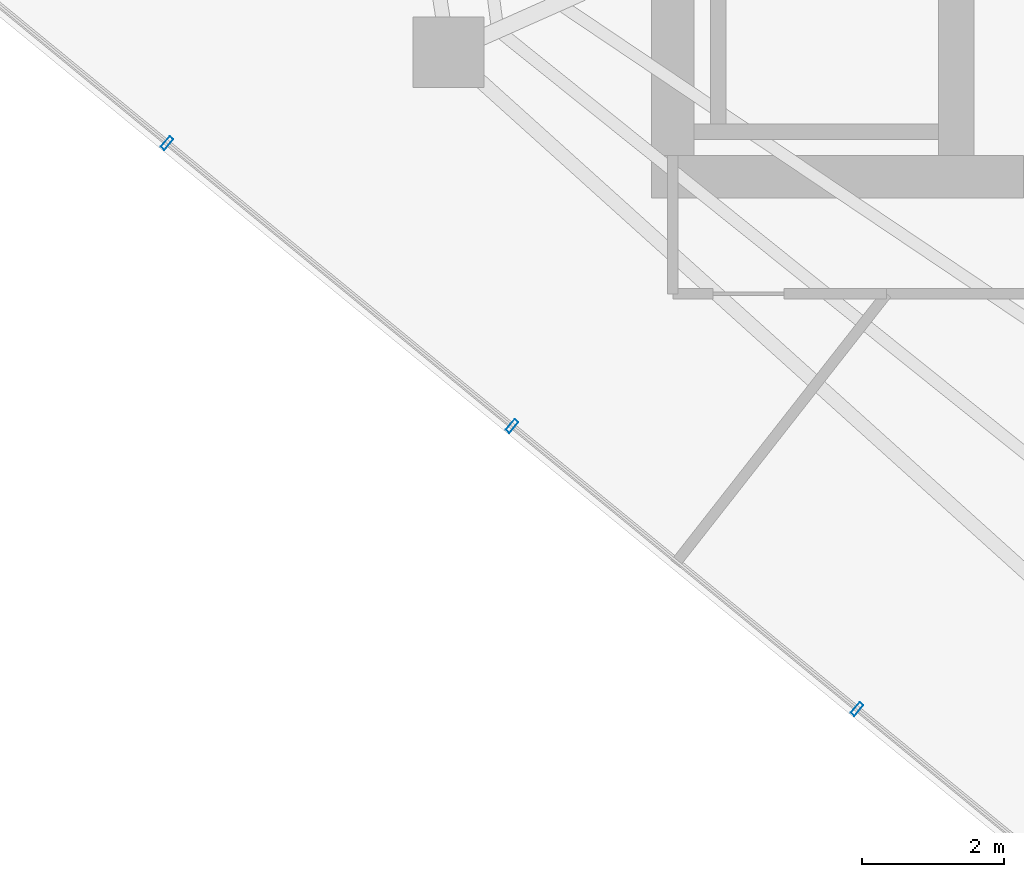
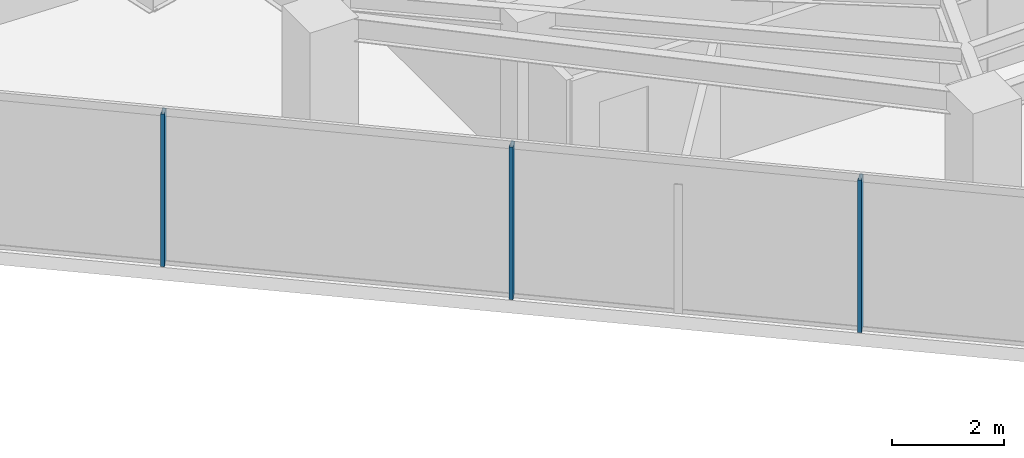
# One storey, part 2 of 19: 3 members, 1 element without a shape of its own.
"""IFC4 building model written with IfcOpenShell, lengths in metres."""

from ifc_helpers import new_model, si_unit, direction, frame, origin, origin_2d, place, context, subcontext, project, spatial, hollow_rectangle, extrude, material, layer, layer_set, material_profile, profile_set, type_object, element, aggregate, save


model = new_model("IFC4")

# Units and contexts
model_context = context("Model", 3, precision=1e-05, world=origin(), true_north=direction((0.0, 1.0)))
body_context = subcontext(model_context, "Body", "Model", "MODEL_VIEW")
ifc_project = project(units=[si_unit("LENGTHUNIT", "METRE"), si_unit("AREAUNIT", "SQUARE_METRE"), si_unit("VOLUMEUNIT", "CUBIC_METRE"), si_unit("PLANEANGLEUNIT", "RADIAN"), si_unit("MASSUNIT", "GRAM", prefix="KILO")], contexts=[model_context])

# Site, building, storey
site_placement = place(None, origin())
site = spatial("IfcSite", under=ifc_project, at=site_placement, CompositionType="ELEMENT")
building_placement = place(site_placement, origin())
building = spatial("IfcBuilding", under=site, at=building_placement, Name="Qarnah Convention Tower", CompositionType="ELEMENT")
storey_placement = place(building_placement, frame((0.0, 0.0, 143.699951171875)))
storey = spatial("IfcBuildingStorey", under=building, at=storey_placement, Name="L38", CompositionType="ELEMENT", Elevation=143.699951171875)

# Curtain wall, members
ifc_material_1 = material(Name="Tempered Low-E dark glass", Category="glass")
ifc_layer = layer(ifc_material_1, 0.172119140625)
ifc_layer_set = layer_set([ifc_layer], Name="Tempered Low-E dark glass")
curtain_wall_type = type_object("IfcCurtainWallType", Name="CWS-03", PredefinedType="NOTDEFINED", material=ifc_layer_set)
curtain_wall_placement = place(storey_placement, origin())
curtain_wall = element("IfcCurtainWall", 1, at=curtain_wall_placement, inside=storey, type_object=curtain_wall_type, Name="L38 unitised curtain wall CW-L38-F2", PredefinedType="NOTDEFINED")
ifc_material_2 = material(Name="Black anodised aluminium", Category="aluminium")
ifc_material_profile = material_profile(ifc_material_2, hollow_rectangle(XDim=0.070068359375, YDim=0.199951171875, WallThickness=0.0048828125, at=origin_2d()), Name="MUL-70X200")
ifc_profile_set = profile_set([ifc_material_profile], Name="Black anodised aluminium")
member_type = type_object("IfcMemberType", Name="MUL-T3", PredefinedType="MULLION", material=ifc_profile_set)
member_1_placement = place(storey_placement, frame((29.3994140625, 11.092529296875, 0.0), z_axis=(0.0, 0.0, 1.0), x_axis=(-0.773174020176, 0.634193925014, 0.0)))
member_1 = element("IfcMember", 2, at=member_1_placement, type_object=member_type, Name="CW-L38-F2 mullion 3", PredefinedType="MULLION", context=body_context, shape_type="SweptSolid", body=[
    extrude(hollow_rectangle(XDim=0.070068359375, YDim=0.199951171875, WallThickness=0.0048828125, at=origin_2d()), origin(), (0.0, 0.0, 1.0), 3.320068359375),
])
member_2_placement = place(storey_placement, frame((24.531494140625, 15.08544921875, 0.0), z_axis=(0.0, 0.0, 1.0), x_axis=(-0.773174020176, 0.634193925014, 0.0)))
member_2 = element("IfcMember", 3, at=member_2_placement, type_object=member_type, Name="CW-L38-F2 mullion 4", PredefinedType="MULLION", context=body_context, shape_type="SweptSolid", body=[
    extrude(hollow_rectangle(XDim=0.070068359375, YDim=0.199951171875, WallThickness=0.0048828125, at=origin_2d()), origin(), (0.0, 0.0, 1.0), 3.320068359375),
])
member_3_placement = place(storey_placement, frame((19.663818359375, 19.078125, 0.0), z_axis=(0.0, 0.0, 1.0), x_axis=(-0.773174020176, 0.634193925014, 0.0)))
member_3 = element("IfcMember", 4, at=member_3_placement, type_object=member_type, Name="CW-L38-F2 mullion 5", PredefinedType="MULLION", context=body_context, shape_type="SweptSolid", body=[
    extrude(hollow_rectangle(XDim=0.070068359375, YDim=0.199951171875, WallThickness=0.0048828125, at=origin_2d()), origin(), (0.0, 0.0, 1.0), 3.320068359375),
])
aggregate(curtain_wall, [member_1, member_2, member_3])

save(model, "model.ifc")
